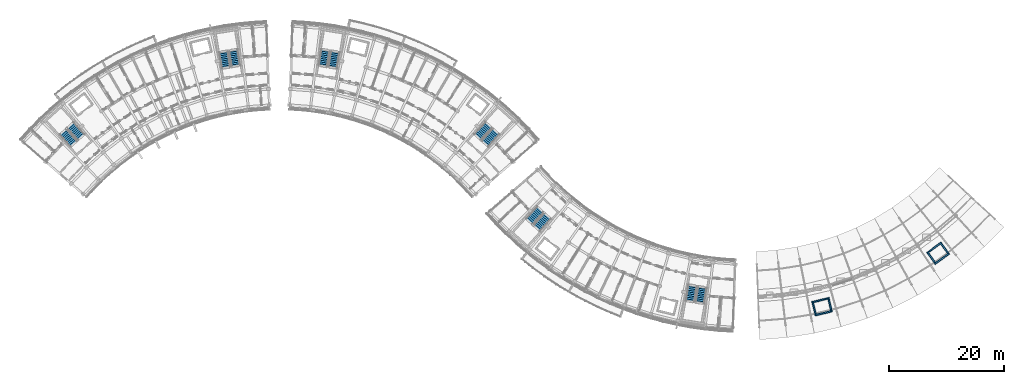
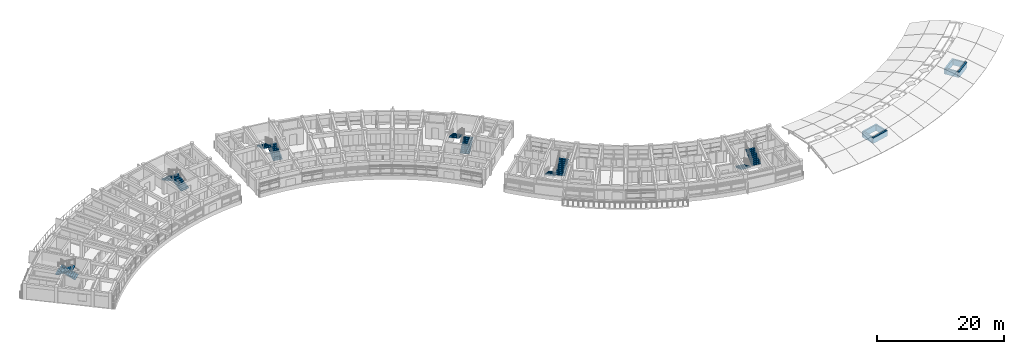
# One storey, part 39 of 50: 12 stair flights, 8 walls, 6 elements without a shape of their own.
"""IFC4 building model written with IfcOpenShell, lengths in metres."""

from ifc_helpers import new_model, si_unit, direction, frame, frame_2d, origin, place, context, subcontext, project, spatial, polyline, rectangle, outline, extrude, material, layer, layer_set, type_object, element, aggregate, save


model = new_model("IFC4")

# Units and contexts
model_context = context("Model", 3, precision=1e-05, world=origin(), true_north=direction((0.0, 1.0)))
body_context = subcontext(model_context, "Body", "Model", "MODEL_VIEW")
ifc_project = project(units=[si_unit("LENGTHUNIT", "METRE"), si_unit("AREAUNIT", "SQUARE_METRE"), si_unit("VOLUMEUNIT", "CUBIC_METRE"), si_unit("PLANEANGLEUNIT", "RADIAN"), si_unit("MASSUNIT", "GRAM", prefix="KILO")], contexts=[model_context])

# Site, building, storey
site_placement = place(None, origin())
site = spatial("IfcSite", under=ifc_project, at=site_placement, CompositionType="ELEMENT")
building_placement = place(site_placement, origin())
building = spatial("IfcBuilding", under=site, at=building_placement, Name="Zimvara Arc Housing Community", CompositionType="ELEMENT")
storey_placement = place(building_placement, frame((0.0, 0.0, 26.699951171875)))
storey = spatial("IfcBuildingStorey", under=building, at=storey_placement, Name="L08", CompositionType="ELEMENT", Elevation=26.699951171875)

# Walls
ifc_material_1 = material(Name="Concrete C40/50", Category="concrete")
ifc_layer = layer(ifc_material_1, 0.280029296875)
ifc_layer_set = layer_set([ifc_layer], Name="Concrete C40/50")
wall_type = type_object("IfcWallType", Name="WL-CORE-280", PredefinedType="SHEAR", material=ifc_layer_set)
for number, where, z_axis, x_axis, name in (
    (1, (137.4248046875, 55.3623046875, 0.0), (0.0, 0.0, 1.0), (0.972573452388, 0.232595958069, 0.0), "lwall:LP-D1:L08:ov_front"),
    (2, (137.962158203125, 53.11572265625, 0.0), (0.0, 0.0, 1.0), (0.972573452388, 0.232595958069, 0.0), "lwall:LP-D1:L08:ov_back"),
):
    element("IfcWall", number, at=place(storey_placement, frame(where, z_axis=z_axis, x_axis=x_axis)), inside=storey, type_object=wall_type, Name=name, PredefinedType="SHEAR", context=body_context, shape_type="SweptSolid", body=[
        extrude(rectangle(XDim=3.090087890625, YDim=0.280029296875, at=frame_2d((1.544921875, 0.0))), origin(), (0.0, 0.0, 1.0), 1.10009765625),
    ])
for number, where, z_axis, x_axis, name in (
    (3, (137.593505859375, 55.2587890625, 0.0), (0.0, 0.0, 1.0), (0.232590524316, -0.972574751882, 0.0), "lwall:LP-D1:L08:ov_left"),
    (4, (140.326416015625, 55.912353515625, 0.0), (0.0, 0.0, 1.0), (0.232590524316, -0.972574751882, 0.0), "lwall:LP-D1:L08:ov_right"),
):
    element("IfcWall", number, at=place(storey_placement, frame(where, z_axis=z_axis, x_axis=x_axis)), inside=storey, type_object=wall_type, Name=name, PredefinedType="SHEAR", context=body_context, shape_type="SweptSolid", body=[
        extrude(rectangle(XDim=2.030029296875, YDim=0.280029296875, at=frame_2d((1.01513671875, 0.0))), origin(), (0.0, 0.0, 1.0), 1.10009765625),
    ])
wall_1_placement = place(storey_placement, frame((157.408935546875, 63.890380859375, 0.0), z_axis=(0.0, 0.0, 1.0), x_axis=(0.809510936031, 0.587104798521, 0.0)))
element("IfcWall", 5, at=wall_1_placement, inside=storey, type_object=wall_type, Name="lwall:LP-D2:L08:ov_front", PredefinedType="SHEAR", context=body_context, shape_type="SweptSolid", body=[
    extrude(rectangle(XDim=3.090087890625, YDim=0.280029296875, at=frame_2d((1.544921875, 0.0))), origin(), (0.0, 0.0, 1.0), 1.10009765625),
])
wall_2_placement = place(storey_placement, frame((158.76513671875, 62.0205078125, 0.0), z_axis=(0.0, 0.0, 1.0), x_axis=(0.809548485838, 0.587053020669, 0.0)))
element("IfcWall", 6, at=wall_2_placement, inside=storey, type_object=wall_type, Name="lwall:LP-D2:L08:ov_back", PredefinedType="SHEAR", context=body_context, shape_type="SweptSolid", body=[
    extrude(rectangle(XDim=3.08984375, YDim=0.280029296875, at=frame_2d((1.544921875, 0.0))), origin(), (0.0, 0.0, 1.0), 1.10009765625),
])
wall_3_placement = place(storey_placement, frame((157.6044921875, 63.859375, 0.0), z_axis=(0.0, 0.0, 1.0), x_axis=(0.587127188998, -0.809494696671, 0.0)))
element("IfcWall", 7, at=wall_3_placement, inside=storey, type_object=wall_type, Name="lwall:LP-D2:L08:ov_left", PredefinedType="SHEAR", context=body_context, shape_type="SweptSolid", body=[
    extrude(rectangle(XDim=2.030029296875, YDim=0.280029296875, at=frame_2d((1.01513671875, 0.0))), origin(), (0.0, 0.0, 1.0), 1.10009765625),
])
wall_4_placement = place(storey_placement, frame((159.87939453125, 65.509033203125, 0.0), z_axis=(0.0, 0.0, 1.0), x_axis=(0.58704837408, -0.809551855344, 0.0)))
element("IfcWall", 8, at=wall_4_placement, inside=storey, type_object=wall_type, Name="lwall:LP-D2:L08:ov_right", PredefinedType="SHEAR", context=body_context, shape_type="SweptSolid", body=[
    extrude(rectangle(XDim=2.02978515625, YDim=0.280029296875, at=frame_2d((1.014892578125, 0.0))), origin(), (0.0, 0.0, 1.0), 1.10009765625),
])

# Stair, stair flights
ifc_material_2 = material(Name="Concrete C35/45", Category="concrete")
stair_type_1 = type_object("IfcStairType", Name="STR-DL-310-310", PredefinedType="HALF_TURN_STAIR", material=ifc_material_2)
stair_1_placement = place(storey_placement, origin())
stair_1 = element("IfcStair", 9, at=stair_1_placement, inside=storey, type_object=stair_type_1, Name="L08 Block C Exit Stair 2", PredefinedType="HALF_TURN_STAIR")
ifc_material_3 = material(Name="Concrete C35/45", Category="concrete")
stair_flight_type_1 = type_object("IfcStairFlightType", Name="STF-DL-310-310", PredefinedType="STRAIGHT", material=ifc_material_3)
stair_flight_1_placement = place(storey_placement, frame((116.7353515625, 58.27490234375, 0.0), z_axis=(0.0, 0.0, 1.0), x_axis=(-0.160225753504, -0.987080395872, 0.0)))
stair_flight_1 = element("IfcStairFlight", 10, at=stair_flight_1_placement, type_object=stair_flight_type_1, Name="ST-C2 flight 1", NumberOfRisers=10, NumberOfTreads=9, PredefinedType="STRAIGHT", RiserHeight=0.155, TreadLength=0.31, context=body_context, shape_type="SweptSolid", body=[
    extrude(outline(polyline([(0.0, 0.0), (0.0, 0.155029296875), (0.31005859375, 0.155029296875), (0.31005859375, 0.31005859375), (0.6201171875, 0.31005859375), (0.6201171875, 0.465087890625), (0.929931640625, 0.465087890625), (0.929931640625, 0.6201171875), (1.239990234375, 0.6201171875), (1.239990234375, 0.77490234375), (1.550048828125, 0.77490234375), (1.550048828125, 0.929931640625), (1.860107421875, 0.929931640625), (1.860107421875, 1.0849609375), (2.169921875, 1.0849609375), (2.169921875, 1.239990234375), (2.47998046875, 1.239990234375), (2.47998046875, 1.39501953125), (2.7900390625, 1.39501953125), (2.7900390625, 1.550048828125), (2.7900390625, 1.227294921875), (0.335205078125, 0.0), (0.0, 0.0)])), frame((0.0, 0.780029296875, 0.0), z_axis=(0.0, -1.0, 0.0), x_axis=(1.0, 0.0, 0.0)), (0.0, 0.0, 1.0), 1.56005859375),
])
stair_flight_2_placement = place(storey_placement, frame((117.986083984375, 55.2451171875, 1.550048828125), z_axis=(0.0, 0.0, 1.0), x_axis=(0.160225753504, 0.987080395872, 0.0)))
stair_flight_2 = element("IfcStairFlight", 11, at=stair_flight_2_placement, type_object=stair_flight_type_1, Name="ST-C2 flight 2", NumberOfRisers=10, NumberOfTreads=9, PredefinedType="STRAIGHT", RiserHeight=0.155, TreadLength=0.31, context=body_context, shape_type="SweptSolid", body=[
    extrude(outline(polyline([(0.0, 0.0), (0.0, 0.155029296875), (0.31005859375, 0.155029296875), (0.31005859375, 0.31005859375), (0.6201171875, 0.31005859375), (0.6201171875, 0.465087890625), (0.929931640625, 0.465087890625), (0.929931640625, 0.6201171875), (1.239990234375, 0.6201171875), (1.239990234375, 0.77490234375), (1.550048828125, 0.77490234375), (1.550048828125, 0.929931640625), (1.860107421875, 0.929931640625), (1.860107421875, 1.0849609375), (2.169921875, 1.0849609375), (2.169921875, 1.239990234375), (2.47998046875, 1.239990234375), (2.47998046875, 1.39501953125), (2.7900390625, 1.39501953125), (2.7900390625, 1.550048828125), (2.7900390625, 1.227294921875), (0.335205078125, 0.0), (0.0, 0.0)])), frame((0.0, 0.780029296875, 0.0), z_axis=(0.0, -1.0, 0.0), x_axis=(1.0, 0.0, 0.0)), (0.0, 0.0, 1.0), 1.56005859375),
])
aggregate(stair_1, [stair_flight_1, stair_flight_2])

ifc_material_4 = material(Name="Concrete C35/45", Category="concrete")
stair_type_2 = type_object("IfcStairType", Name="STR-DL-312-310", PredefinedType="HALF_TURN_STAIR", material=ifc_material_4)
stair_2_placement = place(storey_placement, origin())
stair_2 = element("IfcStair", 12, at=stair_2_placement, inside=storey, type_object=stair_type_2, Name="L08 Block A Exit Stair 1", PredefinedType="HALF_TURN_STAIR")
ifc_material_5 = material(Name="Concrete C35/45", Category="concrete")
stair_flight_type_2 = type_object("IfcStairFlightType", Name="STF-DL-312-310", PredefinedType="STRAIGHT", material=ifc_material_5)
stair_flight_3_placement = place(storey_placement, frame((10.590576171875, 84.0283203125, 0.0), z_axis=(0.0, 0.0, 1.0), x_axis=(-0.668871159118, 0.743378350842, 0.0)))
stair_flight_3 = element("IfcStairFlight", 13, at=stair_flight_3_placement, type_object=stair_flight_type_2, Name="ST-A1 flight 1", NumberOfRisers=10, NumberOfTreads=9, PredefinedType="STRAIGHT", RiserHeight=0.155, TreadLength=0.312, context=body_context, shape_type="SweptSolid", body=[
    extrude(outline(polyline([(0.0, 0.0), (0.0, 0.155029296875), (0.31201171875, 0.155029296875), (0.31201171875, 0.31005859375), (0.6240234375, 0.31005859375), (0.6240234375, 0.465087890625), (0.93603515625, 0.465087890625), (0.93603515625, 0.6201171875), (1.248046875, 0.6201171875), (1.248046875, 0.77490234375), (1.56005859375, 0.77490234375), (1.56005859375, 0.929931640625), (1.8720703125, 0.929931640625), (1.8720703125, 1.0849609375), (2.18408203125, 1.0849609375), (2.18408203125, 1.239990234375), (2.49609375, 1.239990234375), (2.49609375, 1.39501953125), (2.80810546875, 1.39501953125), (2.80810546875, 1.550048828125), (2.80810546875, 1.2275390625), (0.3369140625, 0.0), (0.0, 0.0)])), frame((0.0, 0.780029296875, 0.0), z_axis=(0.0, -1.0, 0.0), x_axis=(1.0, 0.0, 0.0)), (0.0, 0.0, 1.0), 1.56005859375),
])
stair_flight_4_placement = place(storey_placement, frame((7.43359375, 84.965087890625, 1.550048828125), z_axis=(0.0, 0.0, 1.0), x_axis=(0.668871159118, -0.743378350842, 0.0)))
stair_flight_4 = element("IfcStairFlight", 14, at=stair_flight_4_placement, type_object=stair_flight_type_2, Name="ST-A1 flight 2", NumberOfRisers=10, NumberOfTreads=9, PredefinedType="STRAIGHT", RiserHeight=0.155, TreadLength=0.312, context=body_context, shape_type="SweptSolid", body=[
    extrude(outline(polyline([(0.0, 0.0), (0.0, 0.155029296875), (0.31201171875, 0.155029296875), (0.31201171875, 0.31005859375), (0.6240234375, 0.31005859375), (0.6240234375, 0.465087890625), (0.93603515625, 0.465087890625), (0.93603515625, 0.6201171875), (1.248046875, 0.6201171875), (1.248046875, 0.77490234375), (1.56005859375, 0.77490234375), (1.56005859375, 0.929931640625), (1.8720703125, 0.929931640625), (1.8720703125, 1.0849609375), (2.18408203125, 1.0849609375), (2.18408203125, 1.239990234375), (2.49609375, 1.239990234375), (2.49609375, 1.39501953125), (2.80810546875, 1.39501953125), (2.80810546875, 1.550048828125), (2.80810546875, 1.2275390625), (0.3369140625, 0.0), (0.0, 0.0)])), frame((0.0, 0.780029296875, 0.0), z_axis=(0.0, -1.0, 0.0), x_axis=(1.0, 0.0, 0.0)), (0.0, 0.0, 1.0), 1.56005859375),
])
aggregate(stair_2, [stair_flight_3, stair_flight_4])

ifc_material_6 = material(Name="Concrete C35/45", Category="concrete")
stair_type_3 = type_object("IfcStairType", Name="STR-DL-315-310", PredefinedType="HALF_TURN_STAIR", material=ifc_material_6)
stair_3_placement = place(storey_placement, origin())
stair_3 = element("IfcStair", 15, at=stair_3_placement, inside=storey, type_object=stair_type_3, Name="L08 Block A Exit Stair 2", PredefinedType="HALF_TURN_STAIR")
ifc_material_7 = material(Name="Concrete C35/45", Category="concrete")
stair_flight_type_3 = type_object("IfcStairFlightType", Name="STF-DL-315-310", PredefinedType="STRAIGHT", material=ifc_material_7)
stair_flight_5_placement = place(storey_placement, frame((37.453125, 96.36083984375, 0.0), z_axis=(0.0, 0.0, 1.0), x_axis=(-0.160225753504, 0.987080395872, 0.0)))
stair_flight_5 = element("IfcStairFlight", 16, at=stair_flight_5_placement, type_object=stair_flight_type_3, Name="ST-A2 flight 1", NumberOfRisers=10, NumberOfTreads=9, PredefinedType="STRAIGHT", RiserHeight=0.155, TreadLength=0.315, context=body_context, shape_type="SweptSolid", body=[
    extrude(outline(polyline([(0.0, 0.0), (0.0, 0.155029296875), (0.31494140625, 0.155029296875), (0.31494140625, 0.31005859375), (0.6298828125, 0.31005859375), (0.6298828125, 0.465087890625), (0.945068359375, 0.465087890625), (0.945068359375, 0.6201171875), (1.260009765625, 0.6201171875), (1.260009765625, 0.77490234375), (1.574951171875, 0.77490234375), (1.574951171875, 0.929931640625), (1.889892578125, 0.929931640625), (1.889892578125, 1.0849609375), (2.205078125, 1.0849609375), (2.205078125, 1.239990234375), (2.52001953125, 1.239990234375), (2.52001953125, 1.39501953125), (2.8349609375, 1.39501953125), (2.8349609375, 1.550048828125), (2.8349609375, 1.22802734375), (0.339599609375, 0.0), (0.0, 0.0)])), frame((0.0, 0.780029296875, 0.0), z_axis=(0.0, -1.0, 0.0), x_axis=(1.0, 0.0, 0.0)), (0.0, 0.0, 1.0), 1.56005859375),
])
stair_flight_6_placement = place(storey_placement, frame((35.301025390625, 98.883544921875, 1.550048828125), z_axis=(0.0, 0.0, 1.0), x_axis=(0.160225753504, -0.987080395872, 0.0)))
stair_flight_6 = element("IfcStairFlight", 17, at=stair_flight_6_placement, type_object=stair_flight_type_3, Name="ST-A2 flight 2", NumberOfRisers=10, NumberOfTreads=9, PredefinedType="STRAIGHT", RiserHeight=0.155, TreadLength=0.315, context=body_context, shape_type="SweptSolid", body=[
    extrude(outline(polyline([(0.0, 0.0), (0.0, 0.155029296875), (0.31494140625, 0.155029296875), (0.31494140625, 0.31005859375), (0.6298828125, 0.31005859375), (0.6298828125, 0.465087890625), (0.945068359375, 0.465087890625), (0.945068359375, 0.6201171875), (1.260009765625, 0.6201171875), (1.260009765625, 0.77490234375), (1.574951171875, 0.77490234375), (1.574951171875, 0.929931640625), (1.889892578125, 0.929931640625), (1.889892578125, 1.0849609375), (2.205078125, 1.0849609375), (2.205078125, 1.239990234375), (2.52001953125, 1.239990234375), (2.52001953125, 1.39501953125), (2.8349609375, 1.39501953125), (2.8349609375, 1.550048828125), (2.8349609375, 1.22802734375), (0.339599609375, 0.0), (0.0, 0.0)])), frame((0.0, 0.780029296875, 0.0), z_axis=(0.0, -1.0, 0.0), x_axis=(1.0, 0.0, 0.0)), (0.0, 0.0, 1.0), 1.56005859375),
])
aggregate(stair_3, [stair_flight_5, stair_flight_6])

stair_4_placement = place(storey_placement, origin())
stair_4 = element("IfcStair", 18, at=stair_4_placement, inside=storey, type_object=stair_type_3, Name="L08 Block B Exit Stair 1", PredefinedType="HALF_TURN_STAIR")
stair_flight_7_placement = place(storey_placement, frame((54.24462890625, 96.085205078125, 0.0), z_axis=(0.0, 0.0, 1.0), x_axis=(0.160225753504, 0.987080395872, 0.0)))
stair_flight_7 = element("IfcStairFlight", 19, at=stair_flight_7_placement, type_object=stair_flight_type_3, Name="ST-B1 flight 1", NumberOfRisers=10, NumberOfTreads=9, PredefinedType="STRAIGHT", RiserHeight=0.155, TreadLength=0.315, context=body_context, shape_type="SweptSolid", body=[
    extrude(outline(polyline([(0.0, 0.0), (0.0, 0.155029296875), (0.31494140625, 0.155029296875), (0.31494140625, 0.31005859375), (0.6298828125, 0.31005859375), (0.6298828125, 0.465087890625), (0.945068359375, 0.465087890625), (0.945068359375, 0.6201171875), (1.260009765625, 0.6201171875), (1.260009765625, 0.77490234375), (1.574951171875, 0.77490234375), (1.574951171875, 0.929931640625), (1.889892578125, 0.929931640625), (1.889892578125, 1.0849609375), (2.205078125, 1.0849609375), (2.205078125, 1.239990234375), (2.52001953125, 1.239990234375), (2.52001953125, 1.39501953125), (2.8349609375, 1.39501953125), (2.8349609375, 1.550048828125), (2.8349609375, 1.22802734375), (0.339599609375, 0.0), (0.0, 0.0)])), frame((0.0, 0.780029296875, 0.0), z_axis=(0.0, -1.0, 0.0), x_axis=(1.0, 0.0, 0.0)), (0.0, 0.0, 1.0), 1.56005859375),
])
stair_flight_8_placement = place(storey_placement, frame((53.001220703125, 99.1591796875, 1.550048828125), z_axis=(0.0, 0.0, 1.0), x_axis=(-0.160225753504, -0.987080395872, 0.0)))
stair_flight_8 = element("IfcStairFlight", 20, at=stair_flight_8_placement, type_object=stair_flight_type_3, Name="ST-B1 flight 2", NumberOfRisers=10, NumberOfTreads=9, PredefinedType="STRAIGHT", RiserHeight=0.155, TreadLength=0.315, context=body_context, shape_type="SweptSolid", body=[
    extrude(outline(polyline([(0.0, 0.0), (0.0, 0.155029296875), (0.31494140625, 0.155029296875), (0.31494140625, 0.31005859375), (0.6298828125, 0.31005859375), (0.6298828125, 0.465087890625), (0.945068359375, 0.465087890625), (0.945068359375, 0.6201171875), (1.260009765625, 0.6201171875), (1.260009765625, 0.77490234375), (1.574951171875, 0.77490234375), (1.574951171875, 0.929931640625), (1.889892578125, 0.929931640625), (1.889892578125, 1.0849609375), (2.205078125, 1.0849609375), (2.205078125, 1.239990234375), (2.52001953125, 1.239990234375), (2.52001953125, 1.39501953125), (2.8349609375, 1.39501953125), (2.8349609375, 1.550048828125), (2.8349609375, 1.22802734375), (0.339599609375, 0.0), (0.0, 0.0)])), frame((0.0, 0.780029296875, 0.0), z_axis=(0.0, -1.0, 0.0), x_axis=(1.0, 0.0, 0.0)), (0.0, 0.0, 1.0), 1.56005859375),
])
aggregate(stair_4, [stair_flight_7, stair_flight_8])

ifc_material_8 = material(Name="Concrete C35/45", Category="concrete")
stair_type_4 = type_object("IfcStairType", Name="STR-DL-318-310", PredefinedType="HALF_TURN_STAIR", material=ifc_material_8)
stair_5_placement = place(storey_placement, origin())
stair_5 = element("IfcStair", 21, at=stair_5_placement, inside=storey, type_object=stair_type_4, Name="L08 Block B Exit Stair 2", PredefinedType="HALF_TURN_STAIR")
ifc_material_9 = material(Name="Concrete C35/45", Category="concrete")
stair_flight_type_4 = type_object("IfcStairFlightType", Name="STF-DL-318-310", PredefinedType="STRAIGHT", material=ifc_material_9)
stair_flight_9_placement = place(storey_placement, frame((80.688232421875, 82.877685546875, 0.0), z_axis=(0.0, 0.0, 1.0), x_axis=(0.668871159118, 0.743378350842, 0.0)))
stair_flight_9 = element("IfcStairFlight", 22, at=stair_flight_9_placement, type_object=stair_flight_type_4, Name="ST-B2 flight 1", NumberOfRisers=10, NumberOfTreads=9, PredefinedType="STRAIGHT", RiserHeight=0.155, TreadLength=0.318, context=body_context, shape_type="SweptSolid", body=[
    extrude(outline(polyline([(0.0, 0.0), (0.0, 0.155029296875), (0.318115234375, 0.155029296875), (0.318115234375, 0.31005859375), (0.635986328125, 0.31005859375), (0.635986328125, 0.465087890625), (0.9541015625, 0.465087890625), (0.9541015625, 0.6201171875), (1.27197265625, 0.6201171875), (1.27197265625, 0.77490234375), (1.590087890625, 0.77490234375), (1.590087890625, 0.929931640625), (1.907958984375, 0.929931640625), (1.907958984375, 1.0849609375), (2.22607421875, 1.0849609375), (2.22607421875, 1.239990234375), (2.5439453125, 1.239990234375), (2.5439453125, 1.39501953125), (2.862060546875, 1.39501953125), (2.862060546875, 1.550048828125), (2.862060546875, 1.228271484375), (0.342041015625, 0.0), (0.0, 0.0)])), frame((0.0, 0.780029296875, 0.0), z_axis=(0.0, -1.0, 0.0), x_axis=(1.0, 0.0, 0.0)), (0.0, 0.0, 1.0), 1.56005859375),
])
stair_flight_10_placement = place(storey_placement, frame((81.323974609375, 86.15576171875, 1.550048828125), z_axis=(0.0, 0.0, 1.0), x_axis=(-0.668871159118, -0.743378350842, 0.0)))
stair_flight_10 = element("IfcStairFlight", 23, at=stair_flight_10_placement, type_object=stair_flight_type_4, Name="ST-B2 flight 2", NumberOfRisers=10, NumberOfTreads=9, PredefinedType="STRAIGHT", RiserHeight=0.155, TreadLength=0.318, context=body_context, shape_type="SweptSolid", body=[
    extrude(outline(polyline([(0.0, 0.0), (0.0, 0.155029296875), (0.318115234375, 0.155029296875), (0.318115234375, 0.31005859375), (0.635986328125, 0.31005859375), (0.635986328125, 0.465087890625), (0.9541015625, 0.465087890625), (0.9541015625, 0.6201171875), (1.27197265625, 0.6201171875), (1.27197265625, 0.77490234375), (1.590087890625, 0.77490234375), (1.590087890625, 0.929931640625), (1.907958984375, 0.929931640625), (1.907958984375, 1.0849609375), (2.22607421875, 1.0849609375), (2.22607421875, 1.239990234375), (2.5439453125, 1.239990234375), (2.5439453125, 1.39501953125), (2.862060546875, 1.39501953125), (2.862060546875, 1.550048828125), (2.862060546875, 1.228271484375), (0.342041015625, 0.0), (0.0, 0.0)])), frame((0.0, 0.780029296875, 0.0), z_axis=(0.0, -1.0, 0.0), x_axis=(1.0, 0.0, 0.0)), (0.0, 0.0, 1.0), 1.56005859375),
])
aggregate(stair_5, [stair_flight_9, stair_flight_10])

stair_6_placement = place(storey_placement, origin())
stair_6 = element("IfcStair", 24, at=stair_6_placement, inside=storey, type_object=stair_type_4, Name="L08 Block C Exit Stair 1", PredefinedType="HALF_TURN_STAIR")
stair_flight_11_placement = place(storey_placement, frame((90.291748046875, 71.482177734375, 0.0), z_axis=(0.0, 0.0, 1.0), x_axis=(-0.668871159118, -0.743378350842, 0.0)))
stair_flight_11 = element("IfcStairFlight", 25, at=stair_flight_11_placement, type_object=stair_flight_type_4, Name="ST-C1 flight 1", NumberOfRisers=10, NumberOfTreads=9, PredefinedType="STRAIGHT", RiserHeight=0.155, TreadLength=0.318, context=body_context, shape_type="SweptSolid", body=[
    extrude(outline(polyline([(0.0, 0.0), (0.0, 0.155029296875), (0.318115234375, 0.155029296875), (0.318115234375, 0.31005859375), (0.635986328125, 0.31005859375), (0.635986328125, 0.465087890625), (0.9541015625, 0.465087890625), (0.9541015625, 0.6201171875), (1.27197265625, 0.6201171875), (1.27197265625, 0.77490234375), (1.590087890625, 0.77490234375), (1.590087890625, 0.929931640625), (1.907958984375, 0.929931640625), (1.907958984375, 1.0849609375), (2.22607421875, 1.0849609375), (2.22607421875, 1.239990234375), (2.5439453125, 1.239990234375), (2.5439453125, 1.39501953125), (2.862060546875, 1.39501953125), (2.862060546875, 1.550048828125), (2.862060546875, 1.228271484375), (0.342041015625, 0.0), (0.0, 0.0)])), frame((0.0, 0.780029296875, 0.0), z_axis=(0.0, -1.0, 0.0), x_axis=(1.0, 0.0, 0.0)), (0.0, 0.0, 1.0), 1.56005859375),
])
stair_flight_12_placement = place(storey_placement, frame((89.65625, 68.2041015625, 1.550048828125), z_axis=(0.0, 0.0, 1.0), x_axis=(0.668871159118, 0.743378350842, 0.0)))
stair_flight_12 = element("IfcStairFlight", 26, at=stair_flight_12_placement, type_object=stair_flight_type_4, Name="ST-C1 flight 2", NumberOfRisers=10, NumberOfTreads=9, PredefinedType="STRAIGHT", RiserHeight=0.155, TreadLength=0.318, context=body_context, shape_type="SweptSolid", body=[
    extrude(outline(polyline([(0.0, 0.0), (0.0, 0.155029296875), (0.318115234375, 0.155029296875), (0.318115234375, 0.31005859375), (0.635986328125, 0.31005859375), (0.635986328125, 0.465087890625), (0.9541015625, 0.465087890625), (0.9541015625, 0.6201171875), (1.27197265625, 0.6201171875), (1.27197265625, 0.77490234375), (1.590087890625, 0.77490234375), (1.590087890625, 0.929931640625), (1.907958984375, 0.929931640625), (1.907958984375, 1.0849609375), (2.22607421875, 1.0849609375), (2.22607421875, 1.239990234375), (2.5439453125, 1.239990234375), (2.5439453125, 1.39501953125), (2.862060546875, 1.39501953125), (2.862060546875, 1.550048828125), (2.862060546875, 1.228271484375), (0.342041015625, 0.0), (0.0, 0.0)])), frame((0.0, 0.780029296875, 0.0), z_axis=(0.0, -1.0, 0.0), x_axis=(1.0, 0.0, 0.0)), (0.0, 0.0, 1.0), 1.56005859375),
])
aggregate(stair_6, [stair_flight_11, stair_flight_12])

save(model, "model.ifc")
